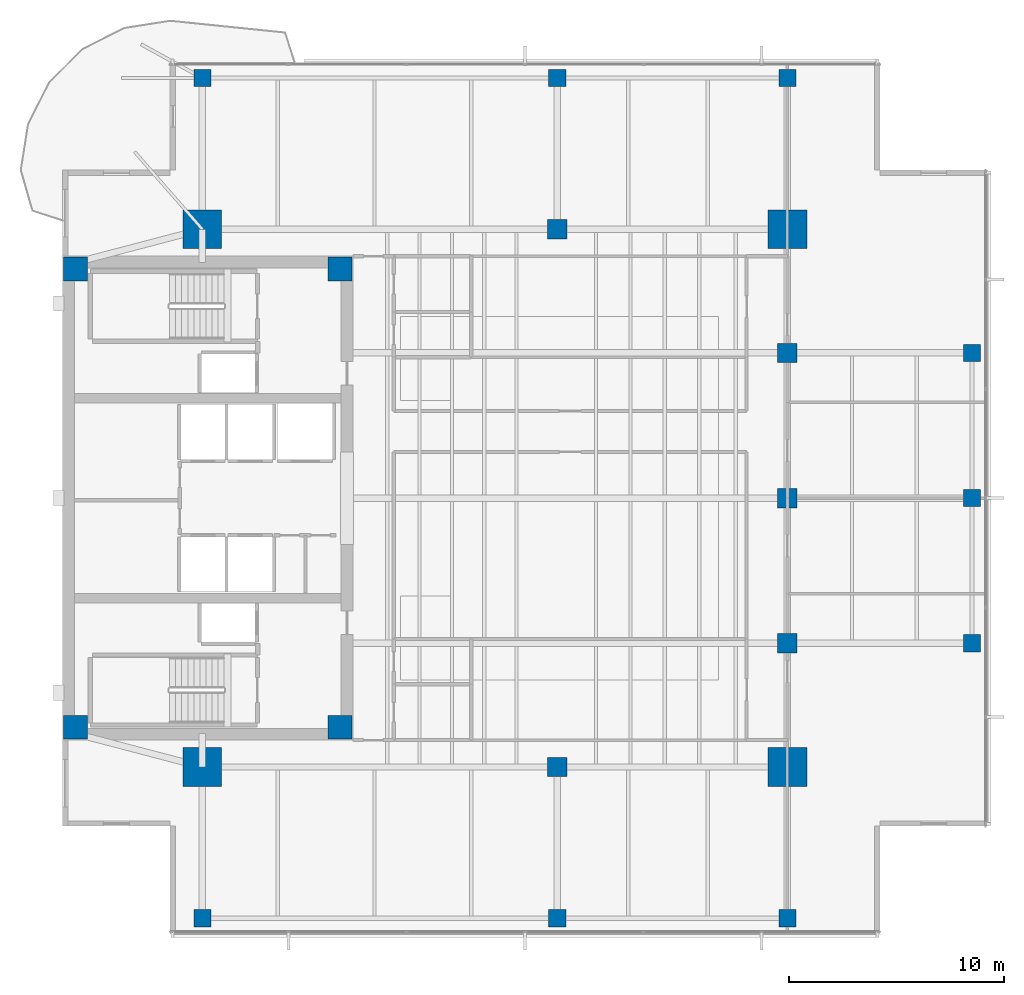
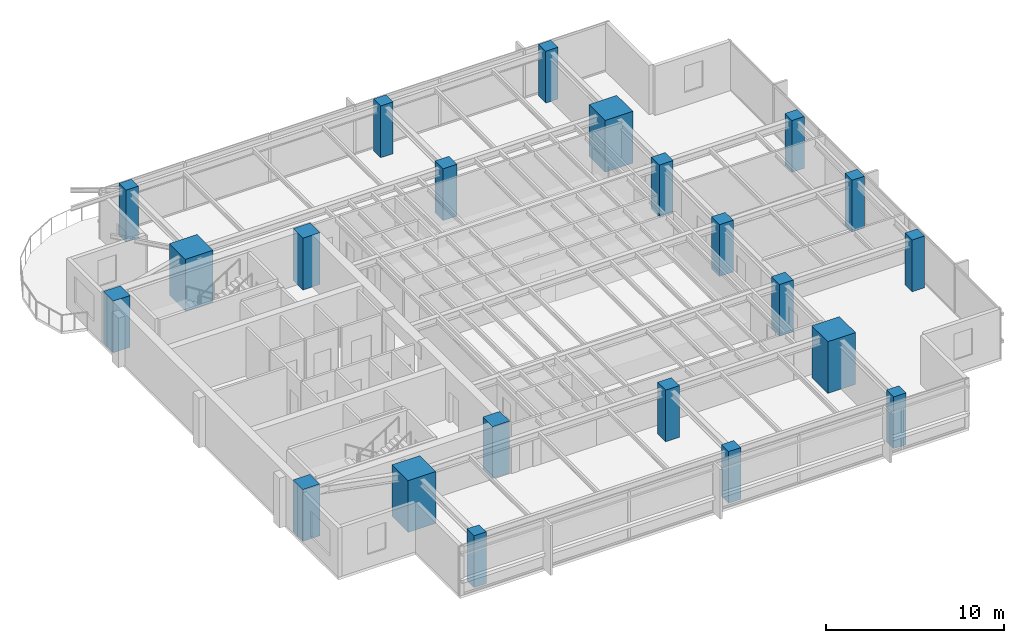
# One storey, part 1 of 14: 22 columns.
"""IFC4 building model written with IfcOpenShell, lengths in metres."""

from ifc_helpers import new_model, si_unit, direction, frame, origin, origin_2d, place, context, subcontext, project, spatial, rectangle, extrude, material, material_profile, profile_set, type_object, element, save


model = new_model("IFC4")

# Units and contexts
model_context = context("Model", 3, precision=1e-05, world=origin(), true_north=direction((0.0, 1.0)))
body_context = subcontext(model_context, "Body", "Model", "MODEL_VIEW")
ifc_project = project(units=[si_unit("LENGTHUNIT", "METRE"), si_unit("AREAUNIT", "SQUARE_METRE"), si_unit("VOLUMEUNIT", "CUBIC_METRE"), si_unit("PLANEANGLEUNIT", "RADIAN"), si_unit("MASSUNIT", "GRAM", prefix="KILO")], contexts=[model_context])

# Site, building, storey
site_placement = place(None, origin())
site = spatial("IfcSite", under=ifc_project, at=site_placement, CompositionType="ELEMENT")
building_placement = place(site_placement, origin())
building = spatial("IfcBuilding", under=site, at=building_placement, Name="Kinhvarn Gate Tower", CompositionType="ELEMENT")
storey_placement = place(building_placement, frame((0.0, 0.0, 202.25)))
storey = spatial("IfcBuildingStorey", under=building, at=storey_placement, Name="L53", CompositionType="ELEMENT", Elevation=202.25)

# Columns
ifc_material_1 = material(Name="Concrete C60/75", Category="concrete")
ifc_material_profile_1 = material_profile(ifc_material_1, rectangle(XDim=1.800048828125, YDim=1.800048828125, at=origin_2d()), Name="RC 1800x1800")
ifc_profile_set_1 = profile_set([ifc_material_profile_1], Name="Concrete C60/75")
column_type_1 = type_object("IfcColumnType", Name="COL-MC-1800", PredefinedType="COLUMN", material=ifc_profile_set_1)
for number, where, z_axis, x_axis, name in (
    (1, (11.0, 12.75, 0.0), (0.0, 0.0, 1.0), (1.0, 0.0, 0.0), "Column MC1-L53 (MC-18)"),
    (2, (11.0, 37.75, 0.0), (0.0, 0.0, 1.0), (1.0, 0.0, 0.0), "Column MC4-L53 (MC-18)"),
    (3, (38.199951171875, 12.75, 0.0), (0.0, 0.0, 1.0), (1.0, 0.0, 0.0), "Column MC2-L53 (MC-18)"),
    (4, (38.199951171875, 37.75, 0.0), (0.0, 0.0, 1.0), (1.0, 0.0, 0.0), "Column MC3-L53 (MC-18)"),
):
    element("IfcColumn", number, at=place(storey_placement, frame(where, z_axis=z_axis, x_axis=x_axis)), inside=storey, type_object=column_type_1, Name=name, PredefinedType="COLUMN", context=body_context, shape_type="SweptSolid", body=[
        extrude(rectangle(XDim=1.800048828125, YDim=1.800048828125, at=origin_2d()), origin(), (0.0, 0.0, 1.0), 3.550048828125),
    ])
ifc_material_2 = material(Name="Concrete C50/60", Category="concrete")
ifc_material_profile_2 = material_profile(ifc_material_2, rectangle(XDim=0.800048828125, YDim=0.800048828125, at=origin_2d()), Name="RC 800x800")
ifc_profile_set_2 = profile_set([ifc_material_profile_2], Name="Concrete C50/60")
column_type_2 = type_object("IfcColumnType", Name="COL-RC-800", PredefinedType="COLUMN", material=ifc_profile_set_2)
for number, where, z_axis, x_axis, name in (
    (5, (46.780029296875, 18.5, 0.0), (0.0, 0.0, 1.0), (1.0, 0.0, 0.0), "Column CE-1-L53 (C-080)"),
    (6, (46.780029296875, 25.25, 0.0), (0.0, 0.0, 1.0), (1.0, 0.0, 0.0), "Column CE-2-L53 (C-080)"),
    (7, (46.780029296875, 32.0, 0.0), (0.0, 0.0, 1.0), (1.0, 0.0, 0.0), "Column CE-3-L53 (C-080)"),
    (8, (11.0, 5.719970703125, 0.0), (0.0, 0.0, 1.0), (1.0, 0.0, 0.0), "Column CS-0-L53 (C-080)"),
    (9, (27.5, 5.719970703125, 0.0), (0.0, 0.0, 1.0), (1.0, 0.0, 0.0), "Column CS-1-L53 (C-080)"),
    (10, (38.199951171875, 5.719970703125, 0.0), (0.0, 0.0, 1.0), (1.0, 0.0, 0.0), "Column CS-2-L53 (C-080)"),
    (11, (11.0, 44.780029296875, 0.0), (0.0, 0.0, 1.0), (1.0, 0.0, 0.0), "Column CN-0-L53 (C-080)"),
    (12, (27.5, 44.780029296875, 0.0), (0.0, 0.0, 1.0), (1.0, 0.0, 0.0), "Column CN-1-L53 (C-080)"),
    (13, (38.199951171875, 44.780029296875, 0.0), (0.0, 0.0, 1.0), (1.0, 0.0, 0.0), "Column CN-2-L53 (C-080)"),
):
    element("IfcColumn", number, at=place(storey_placement, frame(where, z_axis=z_axis, x_axis=x_axis)), inside=storey, type_object=column_type_2, Name=name, PredefinedType="COLUMN", context=body_context, shape_type="SweptSolid", body=[
        extrude(rectangle(XDim=0.800048828125, YDim=0.800048828125, at=origin_2d()), origin(), (0.0, 0.0, 1.0), 3.550048828125),
    ])
ifc_material_profile_3 = material_profile(ifc_material_1, rectangle(XDim=0.89990234375, YDim=0.89990234375, at=origin_2d()), Name="RC 900x900")
ifc_profile_set_3 = profile_set([ifc_material_profile_3], Name="Concrete C60/75")
column_type_3 = type_object("IfcColumnType", Name="COL-RC-900", PredefinedType="COLUMN", material=ifc_profile_set_3)
for number, where, z_axis, x_axis, name in (
    (14, (27.5, 12.75, 0.0), (0.0, 0.0, 1.0), (1.0, 0.0, 0.0), "Column SP27-S-L53 (C-090)"),
    (15, (27.5, 37.75, 0.0), (0.0, 0.0, 1.0), (1.0, 0.0, 0.0), "Column SP27-N-L53 (C-090)"),
    (16, (38.199951171875, 18.5, 0.0), (0.0, 0.0, 1.0), (1.0, 0.0, 0.0), "Column SP38-E1-L53 (C-090)"),
    (17, (38.199951171875, 25.25, 0.0), (0.0, 0.0, 1.0), (1.0, 0.0, 0.0), "Column SP38-E2-L53 (C-090)"),
    (18, (38.199951171875, 32.0, 0.0), (0.0, 0.0, 1.0), (1.0, 0.0, 0.0), "Column SP38-E3-L53 (C-090)"),
):
    element("IfcColumn", number, at=place(storey_placement, frame(where, z_axis=z_axis, x_axis=x_axis)), inside=storey, type_object=column_type_3, Name=name, PredefinedType="COLUMN", context=body_context, shape_type="SweptSolid", body=[
        extrude(rectangle(XDim=0.89990234375, YDim=0.89990234375, at=origin_2d()), origin(), (0.0, 0.0, 1.0), 3.550048828125),
    ])
ifc_material_profile_4 = material_profile(ifc_material_1, rectangle(XDim=1.10009765625, YDim=1.10009765625, at=origin_2d()), Name="RC 1100x1100")
ifc_profile_set_4 = profile_set([ifc_material_profile_4], Name="Concrete C60/75")
column_type_4 = type_object("IfcColumnType", Name="PIL-RC-1100", PredefinedType="PILASTER", material=ifc_profile_set_4)
for number, where, z_axis, x_axis, name in (
    (19, (5.10009765625, 14.60009765625, 0.0), (0.0, 0.0, 1.0), (1.0, 0.0, 0.0), "Column CC-SW-L53 (CP-110)"),
    (20, (5.10009765625, 35.89990234375, 0.0), (0.0, 0.0, 1.0), (1.0, 0.0, 0.0), "Column CC-NW-L53 (CP-110)"),
    (21, (17.39990234375, 14.60009765625, 0.0), (0.0, 0.0, 1.0), (1.0, 0.0, 0.0), "Column CC-SE-L53 (CP-110)"),
    (22, (17.39990234375, 35.89990234375, 0.0), (0.0, 0.0, 1.0), (1.0, 0.0, 0.0), "Column CC-NE-L53 (CP-110)"),
):
    element("IfcColumn", number, at=place(storey_placement, frame(where, z_axis=z_axis, x_axis=x_axis)), inside=storey, type_object=column_type_4, Name=name, PredefinedType="PILASTER", context=body_context, shape_type="SweptSolid", body=[
        extrude(rectangle(XDim=1.10009765625, YDim=1.10009765625, at=origin_2d()), origin(), (0.0, 0.0, 1.0), 3.550048828125),
    ])

save(model, "model.ifc")
